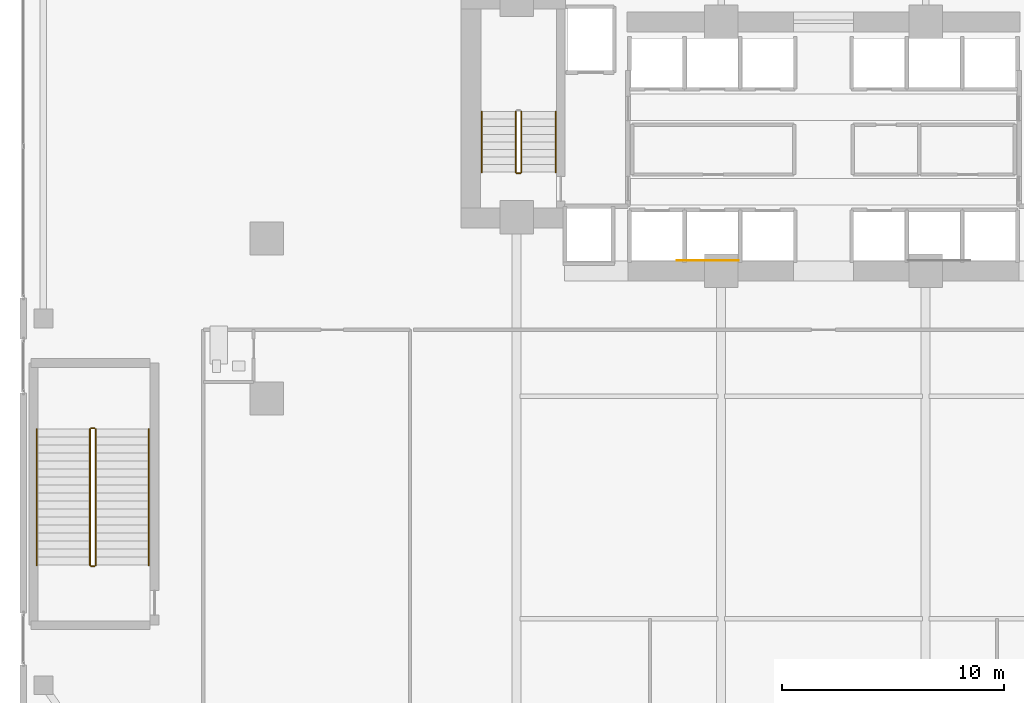
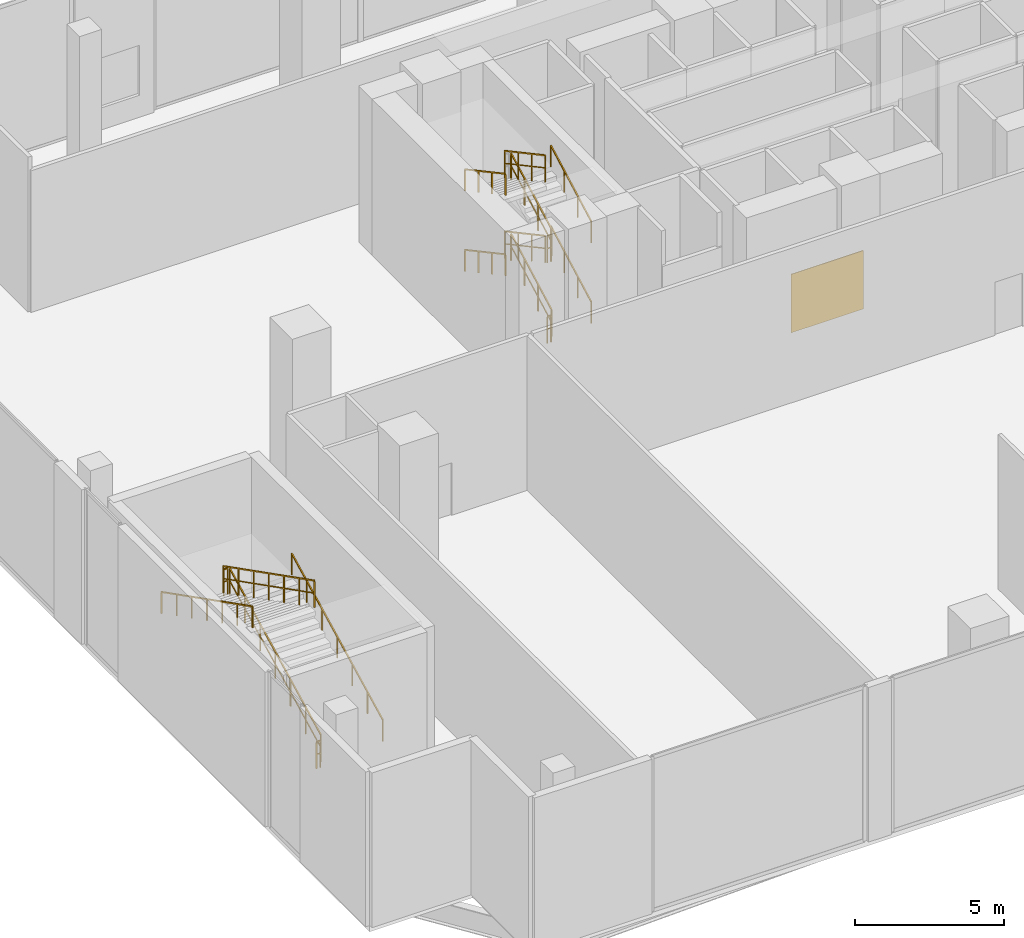
# One storey, part 27 of 30: 16 railings, 1 covering.
"""IFC4 building model written with IfcOpenShell, lengths in metres."""

from ifc_helpers import new_model, si_unit, direction, frame, origin, origin_2d, place, context, subcontext, project, spatial, rectangle, extrude, material, layer, layer_set, type_object, element, save


model = new_model("IFC4")

# Units and contexts
model_context = context("Model", 3, precision=1e-05, world=origin(), true_north=direction((0.0, 1.0)))
body_context = subcontext(model_context, "Body", "Model", "MODEL_VIEW")
ifc_project = project(units=[si_unit("LENGTHUNIT", "METRE"), si_unit("AREAUNIT", "SQUARE_METRE"), si_unit("VOLUMEUNIT", "CUBIC_METRE"), si_unit("PLANEANGLEUNIT", "RADIAN"), si_unit("MASSUNIT", "GRAM", prefix="KILO")], contexts=[model_context])

# Site, building, storey
site_placement = place(None, origin())
site = spatial("IfcSite", under=ifc_project, at=site_placement, CompositionType="ELEMENT")
building_placement = place(site_placement, origin())
building = spatial("IfcBuilding", under=site, at=building_placement, Name="Zuhayl Quay Hotel", CompositionType="ELEMENT")
storey_placement = place(building_placement, frame((0.0, 0.0, 11.39990234375)))
storey = spatial("IfcBuildingStorey", under=building, at=storey_placement, Name="L02", CompositionType="ELEMENT", Elevation=11.39990234375)

# Covering
ifc_material_1 = material(Name="Acoustic Walnut Feature Timber", Category="wood")
ifc_layer = layer(ifc_material_1, 0.02197265625, Name="Acoustic Walnut Feature Timber", Category="wood")
ifc_layer_set = layer_set([ifc_layer], Name="Acoustic Walnut Feature Timber")
covering_type = type_object("IfcCoveringType", Name="CV_WALL_CLAD", PredefinedType="CLADDING", material=ifc_layer_set)
covering_placement = place(storey_placement, frame((-5.199951171875, 2.611083984375, 0.300048828125), z_axis=(0.0, 0.0, 1.0), x_axis=(1.0, 0.0, 0.0)))
element("IfcCovering", 1, at=covering_placement, inside=storey, type_object=covering_type, Name="L02 Feature Lobby Walnut Wall Cladding W", PredefinedType="CLADDING", context=body_context, shape_type="SweptSolid", body=[
    extrude(rectangle(XDim=2.800048828125, YDim=0.02197265625, at=origin_2d()), origin(), (0.0, 0.0, 1.0), 2.39990234375),
])

# Railings
ifc_material_2 = material(Name="Steel ASTM A992 Grade 50", Category="steel")
railing_type_1 = type_object("IfcRailingType", Name="RL_GUARD_1100", PredefinedType="GUARDRAIL", material=ifc_material_2)
railing_1_placement = place(storey_placement, frame((-13.590087890625, 6.590087890625, 0.183349609375)))
element("IfcRailing", 2, at=railing_1_placement, inside=storey, type_object=railing_type_1, Name="L02 ST1 stair guard 1", PredefinedType="GUARDRAIL", context=body_context, shape_type="SweptSolid", body=[
    extrude(rectangle(XDim=0.048095703125, YDim=0.048095703125, at=origin_2d()), frame((0.0, 0.0, 1.09619140625), z_axis=(0.0, 0.880174121961, 0.474650940198), x_axis=(-1.0, 0.0, 0.0)), (0.0, 0.0, 1.0), 3.09033203125),
    extrude(rectangle(XDim=0.0361328125, YDim=0.0361328125, at=origin_2d()), frame((0.0, 0.0, 0.58251953125), z_axis=(0.0, 0.880174121961, 0.474650940198), x_axis=(-1.0, 0.0, 0.0)), (0.0, 0.0, 1.0), 3.09033203125),
    extrude(rectangle(XDim=0.0419921875, YDim=0.0419921875, at=origin_2d()), origin(), (0.0, 0.0, 1.0), 1.072021484375),
    extrude(rectangle(XDim=0.0419921875, YDim=0.0419921875, at=origin_2d()), frame((0.0, 0.90673828125, 0.489013671875)), (0.0, 0.0, 1.0), 1.072021484375),
    extrude(rectangle(XDim=0.0419921875, YDim=0.0419921875, at=origin_2d()), frame((0.0, 1.813232421875, 0.977783203125)), (0.0, 0.0, 1.0), 1.072021484375),
    extrude(rectangle(XDim=0.0419921875, YDim=0.0419921875, at=origin_2d()), frame((0.0, 2.719970703125, 1.466796875)), (0.0, 0.0, 1.0), 1.072021484375),
])
railing_2_placement = place(storey_placement, frame((-13.840087890625, 9.31005859375, 1.83349609375)))
element("IfcRailing", 3, at=railing_2_placement, inside=storey, type_object=railing_type_1, Name="L02 ST1 stair guard 3", PredefinedType="GUARDRAIL", context=body_context, shape_type="SweptSolid", body=[
    extrude(rectangle(XDim=0.048095703125, YDim=0.048095703125, at=origin_2d()), frame((0.0, 0.0, 1.09619140625), z_axis=(0.0, -0.88020712665, 0.4745897325), x_axis=(1.0, 0.0, 0.0)), (0.0, 0.0, 1.0), 3.090087890625),
    extrude(rectangle(XDim=0.0361328125, YDim=0.0361328125, at=origin_2d()), frame((0.0, 0.0, 0.58251953125), z_axis=(0.0, -0.88020712665, 0.4745897325), x_axis=(1.0, 0.0, 0.0)), (0.0, 0.0, 1.0), 3.090087890625),
    extrude(rectangle(XDim=0.0419921875, YDim=0.0419921875, at=origin_2d()), origin(), (0.0, 0.0, 1.0), 1.072021484375),
    extrude(rectangle(XDim=0.0419921875, YDim=0.0419921875, at=origin_2d()), frame((0.0, -0.90673828125, 0.48876953125)), (0.0, 0.0, 1.0), 1.072021484375),
    extrude(rectangle(XDim=0.0419921875, YDim=0.0419921875, at=origin_2d()), frame((0.0, -1.813232421875, 0.977783203125)), (0.0, 0.0, 1.0), 1.072021484375),
    extrude(rectangle(XDim=0.0419921875, YDim=0.0419921875, at=origin_2d()), frame((0.0, -2.719970703125, 1.466552734375)), (0.0, 0.0, 1.0), 1.072021484375),
])
railing_3_placement = place(storey_placement, frame((-13.639892578125, 6.5400390625, 3.300048828125)))
element("IfcRailing", 4, at=railing_3_placement, inside=storey, type_object=railing_type_1, Name="L02 ST1 stair guard 4", PredefinedType="GUARDRAIL", context=body_context, shape_type="SweptSolid", body=[
    extrude(rectangle(XDim=0.048095703125, YDim=0.048095703125, at=origin_2d()), frame((0.0, 0.0, 1.09619140625), z_axis=(-1.0, 0.0, 0.0), x_axis=(0.0, -1.0, 0.0)), (0.0, 0.0, 1.0), 0.150146484375),
    extrude(rectangle(XDim=0.0361328125, YDim=0.0361328125, at=origin_2d()), frame((0.0, 0.0, 0.58251953125), z_axis=(-1.0, 0.0, 0.0), x_axis=(0.0, -1.0, 0.0)), (0.0, 0.0, 1.0), 0.150146484375),
    extrude(rectangle(XDim=0.0419921875, YDim=0.0419921875, at=origin_2d()), origin(), (0.0, 0.0, 1.0), 1.072021484375),
    extrude(rectangle(XDim=0.0419921875, YDim=0.0419921875, at=origin_2d()), frame((-0.150146484375, 0.0, 0.0)), (0.0, 0.0, 1.0), 1.072021484375),
])
railing_4_placement = place(storey_placement, frame((-13.590087890625, 6.590087890625, 3.4833984375)))
element("IfcRailing", 5, at=railing_4_placement, inside=storey, type_object=railing_type_1, Name="L02 ST1 stair guard 5", PredefinedType="GUARDRAIL", context=body_context, shape_type="SweptSolid", body=[
    extrude(rectangle(XDim=0.048095703125, YDim=0.048095703125, at=origin_2d()), frame((0.0, 0.0, 1.09619140625), z_axis=(0.0, 0.880174121961, 0.474650940198), x_axis=(-1.0, 0.0, 0.0)), (0.0, 0.0, 1.0), 3.09033203125),
    extrude(rectangle(XDim=0.0361328125, YDim=0.0361328125, at=origin_2d()), frame((0.0, 0.0, 0.58251953125), z_axis=(0.0, 0.880174121961, 0.474650940198), x_axis=(-1.0, 0.0, 0.0)), (0.0, 0.0, 1.0), 3.09033203125),
    extrude(rectangle(XDim=0.0419921875, YDim=0.0419921875, at=origin_2d()), origin(), (0.0, 0.0, 1.0), 1.072021484375),
    extrude(rectangle(XDim=0.0419921875, YDim=0.0419921875, at=origin_2d()), frame((0.0, 0.90673828125, 0.489013671875)), (0.0, 0.0, 1.0), 1.072021484375),
    extrude(rectangle(XDim=0.0419921875, YDim=0.0419921875, at=origin_2d()), frame((0.0, 1.813232421875, 0.977783203125)), (0.0, 0.0, 1.0), 1.072021484375),
    extrude(rectangle(XDim=0.0419921875, YDim=0.0419921875, at=origin_2d()), frame((0.0, 2.719970703125, 1.466796875)), (0.0, 0.0, 1.0), 1.072021484375),
])
railing_5_placement = place(storey_placement, frame((-13.840087890625, 9.31005859375, 5.133544921875)))
element("IfcRailing", 6, at=railing_5_placement, inside=storey, type_object=railing_type_1, Name="L02 ST1 stair guard 7", PredefinedType="GUARDRAIL", context=body_context, shape_type="SweptSolid", body=[
    extrude(rectangle(XDim=0.048095703125, YDim=0.048095703125, at=origin_2d()), frame((0.0, 0.0, 1.09619140625), z_axis=(0.0, -0.88020712665, 0.4745897325), x_axis=(1.0, 0.0, 0.0)), (0.0, 0.0, 1.0), 3.090087890625),
    extrude(rectangle(XDim=0.0361328125, YDim=0.0361328125, at=origin_2d()), frame((0.0, 0.0, 0.58251953125), z_axis=(0.0, -0.88020712665, 0.4745897325), x_axis=(1.0, 0.0, 0.0)), (0.0, 0.0, 1.0), 3.090087890625),
    extrude(rectangle(XDim=0.0419921875, YDim=0.0419921875, at=origin_2d()), origin(), (0.0, 0.0, 1.0), 1.072021484375),
    extrude(rectangle(XDim=0.0419921875, YDim=0.0419921875, at=origin_2d()), frame((0.0, -0.90673828125, 0.48876953125)), (0.0, 0.0, 1.0), 1.072021484375),
    extrude(rectangle(XDim=0.0419921875, YDim=0.0419921875, at=origin_2d()), frame((0.0, -1.813232421875, 0.977783203125)), (0.0, 0.0, 1.0), 1.072021484375),
    extrude(rectangle(XDim=0.0419921875, YDim=0.0419921875, at=origin_2d()), frame((0.0, -2.719970703125, 1.466552734375)), (0.0, 0.0, 1.0), 1.072021484375),
])
railing_6_placement = place(storey_placement, frame((-13.639892578125, 6.5400390625, 0.0)))
element("IfcRailing", 7, at=railing_6_placement, inside=storey, type_object=railing_type_1, Name="L02 ST1 stair guard 8", PredefinedType="GUARDRAIL", context=body_context, shape_type="SweptSolid", body=[
    extrude(rectangle(XDim=0.048095703125, YDim=0.048095703125, at=origin_2d()), frame((0.0, 0.0, 1.09619140625), z_axis=(-1.0, 0.0, 0.0), x_axis=(0.0, -1.0, 0.0)), (0.0, 0.0, 1.0), 0.150146484375),
    extrude(rectangle(XDim=0.0361328125, YDim=0.0361328125, at=origin_2d()), frame((0.0, 0.0, 0.58251953125), z_axis=(-1.0, 0.0, 0.0), x_axis=(0.0, -1.0, 0.0)), (0.0, 0.0, 1.0), 0.150146484375),
    extrude(rectangle(XDim=0.0419921875, YDim=0.0419921875, at=origin_2d()), origin(), (0.0, 0.0, 1.0), 1.072021484375),
    extrude(rectangle(XDim=0.0419921875, YDim=0.0419921875, at=origin_2d()), frame((-0.150146484375, 0.0, 0.0)), (0.0, 0.0, 1.0), 1.072021484375),
])
railing_7_placement = place(storey_placement, frame((-32.75, -11.10009765625, 0.183349609375)))
element("IfcRailing", 8, at=railing_7_placement, inside=storey, type_object=railing_type_1, Name="L02 ST3 stair guard 1", PredefinedType="GUARDRAIL", context=body_context, shape_type="SweptSolid", body=[
    extrude(rectangle(XDim=0.048095703125, YDim=0.048095703125, at=origin_2d()), frame((0.0, 0.0, 1.09619140625), z_axis=(0.0, 0.891104052024, 0.453799039737), x_axis=(-1.0, 0.0, 0.0)), (0.0, 0.0, 1.0), 6.867919921875),
    extrude(rectangle(XDim=0.0361328125, YDim=0.0361328125, at=origin_2d()), frame((0.0, 0.0, 0.58251953125), z_axis=(0.0, 0.891104052024, 0.453799039737), x_axis=(-1.0, 0.0, 0.0)), (0.0, 0.0, 1.0), 6.867919921875),
    extrude(rectangle(XDim=0.0419921875, YDim=0.0419921875, at=origin_2d()), origin(), (0.0, 0.0, 1.0), 1.072021484375),
    extrude(rectangle(XDim=0.0419921875, YDim=0.0419921875, at=origin_2d()), frame((0.0, 1.02001953125, 0.51953125)), (0.0, 0.0, 1.0), 1.072021484375),
    extrude(rectangle(XDim=0.0419921875, YDim=0.0419921875, at=origin_2d()), frame((0.0, 2.0400390625, 1.038818359375)), (0.0, 0.0, 1.0), 1.072021484375),
    extrude(rectangle(XDim=0.0419921875, YDim=0.0419921875, at=origin_2d()), frame((0.0, 3.06005859375, 1.558349609375)), (0.0, 0.0, 1.0), 1.072021484375),
    extrude(rectangle(XDim=0.0419921875, YDim=0.0419921875, at=origin_2d()), frame((0.0, 4.080078125, 2.077880859375)), (0.0, 0.0, 1.0), 1.072021484375),
    extrude(rectangle(XDim=0.0419921875, YDim=0.0419921875, at=origin_2d()), frame((0.0, 5.10009765625, 2.59716796875)), (0.0, 0.0, 1.0), 1.072021484375),
    extrude(rectangle(XDim=0.0419921875, YDim=0.0419921875, at=origin_2d()), frame((0.0, 6.1201171875, 3.11669921875)), (0.0, 0.0, 1.0), 1.072021484375),
])
railing_8_placement = place(storey_placement, frame((-32.800048828125, -4.929931640625, 3.300048828125)))
element("IfcRailing", 9, at=railing_8_placement, inside=storey, type_object=railing_type_1, Name="L02 ST3 stair guard 2", PredefinedType="GUARDRAIL", context=body_context, shape_type="SweptSolid", body=[
    extrude(rectangle(XDim=0.048095703125, YDim=0.048095703125, at=origin_2d()), frame((0.0, 0.0, 1.09619140625), z_axis=(-1.0, 0.0, 0.0), x_axis=(0.0, -1.0, 0.0)), (0.0, 0.0, 1.0), 0.14990234375),
    extrude(rectangle(XDim=0.0361328125, YDim=0.0361328125, at=origin_2d()), frame((0.0, 0.0, 0.58251953125), z_axis=(-1.0, 0.0, 0.0), x_axis=(0.0, -1.0, 0.0)), (0.0, 0.0, 1.0), 0.14990234375),
    extrude(rectangle(XDim=0.0419921875, YDim=0.0419921875, at=origin_2d()), origin(), (0.0, 0.0, 1.0), 1.072021484375),
    extrude(rectangle(XDim=0.0419921875, YDim=0.0419921875, at=origin_2d()), frame((-0.14990234375, 0.0, 0.0)), (0.0, 0.0, 1.0), 1.072021484375),
])
railing_9_placement = place(storey_placement, frame((-33.0, -4.97998046875, 3.4833984375)))
element("IfcRailing", 10, at=railing_9_placement, inside=storey, type_object=railing_type_1, Name="L02 ST3 stair guard 3", PredefinedType="GUARDRAIL", context=body_context, shape_type="SweptSolid", body=[
    extrude(rectangle(XDim=0.048095703125, YDim=0.048095703125, at=origin_2d()), frame((0.0, 0.0, 1.09619140625), z_axis=(0.0, -0.891104052024, 0.453799039737), x_axis=(1.0, 0.0, 0.0)), (0.0, 0.0, 1.0), 6.867919921875),
    extrude(rectangle(XDim=0.0361328125, YDim=0.0361328125, at=origin_2d()), frame((0.0, 0.0, 0.58251953125), z_axis=(0.0, -0.891104052024, 0.453799039737), x_axis=(1.0, 0.0, 0.0)), (0.0, 0.0, 1.0), 6.867919921875),
    extrude(rectangle(XDim=0.0419921875, YDim=0.0419921875, at=origin_2d()), origin(), (0.0, 0.0, 1.0), 1.072021484375),
    extrude(rectangle(XDim=0.0419921875, YDim=0.0419921875, at=origin_2d()), frame((0.0, -1.02001953125, 0.51953125)), (0.0, 0.0, 1.0), 1.072021484375),
    extrude(rectangle(XDim=0.0419921875, YDim=0.0419921875, at=origin_2d()), frame((0.0, -2.0400390625, 1.038818359375)), (0.0, 0.0, 1.0), 1.072021484375),
    extrude(rectangle(XDim=0.0419921875, YDim=0.0419921875, at=origin_2d()), frame((0.0, -3.06005859375, 1.558349609375)), (0.0, 0.0, 1.0), 1.072021484375),
    extrude(rectangle(XDim=0.0419921875, YDim=0.0419921875, at=origin_2d()), frame((0.0, -4.080078125, 2.077880859375)), (0.0, 0.0, 1.0), 1.072021484375),
    extrude(rectangle(XDim=0.0419921875, YDim=0.0419921875, at=origin_2d()), frame((0.0, -5.10009765625, 2.59716796875)), (0.0, 0.0, 1.0), 1.072021484375),
    extrude(rectangle(XDim=0.0419921875, YDim=0.0419921875, at=origin_2d()), frame((0.0, -6.1201171875, 3.11669921875)), (0.0, 0.0, 1.0), 1.072021484375),
])
railing_10_placement = place(storey_placement, frame((-32.800048828125, -11.14990234375, 0.0)))
element("IfcRailing", 11, at=railing_10_placement, inside=storey, type_object=railing_type_1, Name="L02 ST3 stair guard 4", PredefinedType="GUARDRAIL", context=body_context, shape_type="SweptSolid", body=[
    extrude(rectangle(XDim=0.048095703125, YDim=0.048095703125, at=origin_2d()), frame((0.0, 0.0, 1.09619140625), z_axis=(-1.0, 0.0, 0.0), x_axis=(0.0, -1.0, 0.0)), (0.0, 0.0, 1.0), 0.14990234375),
    extrude(rectangle(XDim=0.0361328125, YDim=0.0361328125, at=origin_2d()), frame((0.0, 0.0, 0.58251953125), z_axis=(-1.0, 0.0, 0.0), x_axis=(0.0, -1.0, 0.0)), (0.0, 0.0, 1.0), 0.14990234375),
    extrude(rectangle(XDim=0.0419921875, YDim=0.0419921875, at=origin_2d()), origin(), (0.0, 0.0, 1.0), 1.072021484375),
    extrude(rectangle(XDim=0.0419921875, YDim=0.0419921875, at=origin_2d()), frame((-0.14990234375, 0.0, 0.0)), (0.0, 0.0, 1.0), 1.072021484375),
])
railing_type_2 = type_object("IfcRailingType", Name="RL_HANDRAIL_920", PredefinedType="HANDRAIL", material=ifc_material_2)
railing_11_placement = place(storey_placement, frame((-12.050048828125, 6.590087890625, 0.183349609375)))
element("IfcRailing", 12, at=railing_11_placement, inside=storey, type_object=railing_type_2, Name="L02 ST1 stair handrail 1", PredefinedType="HANDRAIL", context=body_context, shape_type="SweptSolid", body=[
    extrude(rectangle(XDim=0.048095703125, YDim=0.048095703125, at=origin_2d()), frame((0.0, 0.0, 0.8759765625), z_axis=(0.0, 0.880174121961, 0.474650940198), x_axis=(-1.0, 0.0, 0.0)), (0.0, 0.0, 1.0), 3.09033203125),
    extrude(rectangle(XDim=0.0419921875, YDim=0.0419921875, at=origin_2d()), origin(), (0.0, 0.0, 1.0), 0.851806640625),
    extrude(rectangle(XDim=0.0419921875, YDim=0.0419921875, at=origin_2d()), frame((0.0, 0.90673828125, 0.489013671875)), (0.0, 0.0, 1.0), 0.851806640625),
    extrude(rectangle(XDim=0.0419921875, YDim=0.0419921875, at=origin_2d()), frame((0.0, 1.813232421875, 0.977783203125)), (0.0, 0.0, 1.0), 0.851806640625),
    extrude(rectangle(XDim=0.0419921875, YDim=0.0419921875, at=origin_2d()), frame((0.0, 2.719970703125, 1.466796875)), (0.0, 0.0, 1.0), 0.851806640625),
])
railing_12_placement = place(storey_placement, frame((-15.3798828125, 9.31005859375, 1.83349609375)))
element("IfcRailing", 13, at=railing_12_placement, inside=storey, type_object=railing_type_2, Name="L02 ST1 stair handrail 2", PredefinedType="HANDRAIL", context=body_context, shape_type="SweptSolid", body=[
    extrude(rectangle(XDim=0.048095703125, YDim=0.048095703125, at=origin_2d()), frame((0.0, 0.0, 0.8759765625), z_axis=(0.0, -0.88020712665, 0.4745897325), x_axis=(1.0, 0.0, 0.0)), (0.0, 0.0, 1.0), 3.090087890625),
    extrude(rectangle(XDim=0.0419921875, YDim=0.0419921875, at=origin_2d()), origin(), (0.0, 0.0, 1.0), 0.851806640625),
    extrude(rectangle(XDim=0.0419921875, YDim=0.0419921875, at=origin_2d()), frame((0.0, -0.90673828125, 0.48876953125)), (0.0, 0.0, 1.0), 0.851806640625),
    extrude(rectangle(XDim=0.0419921875, YDim=0.0419921875, at=origin_2d()), frame((0.0, -1.813232421875, 0.977783203125)), (0.0, 0.0, 1.0), 0.851806640625),
    extrude(rectangle(XDim=0.0419921875, YDim=0.0419921875, at=origin_2d()), frame((0.0, -2.719970703125, 1.466552734375)), (0.0, 0.0, 1.0), 0.851806640625),
])
railing_13_placement = place(storey_placement, frame((-12.050048828125, 6.590087890625, 3.4833984375)))
element("IfcRailing", 14, at=railing_13_placement, inside=storey, type_object=railing_type_2, Name="L02 ST1 stair handrail 3", PredefinedType="HANDRAIL", context=body_context, shape_type="SweptSolid", body=[
    extrude(rectangle(XDim=0.048095703125, YDim=0.048095703125, at=origin_2d()), frame((0.0, 0.0, 0.8759765625), z_axis=(0.0, 0.880174121961, 0.474650940198), x_axis=(-1.0, 0.0, 0.0)), (0.0, 0.0, 1.0), 3.09033203125),
    extrude(rectangle(XDim=0.0419921875, YDim=0.0419921875, at=origin_2d()), origin(), (0.0, 0.0, 1.0), 0.851806640625),
    extrude(rectangle(XDim=0.0419921875, YDim=0.0419921875, at=origin_2d()), frame((0.0, 0.90673828125, 0.489013671875)), (0.0, 0.0, 1.0), 0.851806640625),
    extrude(rectangle(XDim=0.0419921875, YDim=0.0419921875, at=origin_2d()), frame((0.0, 1.813232421875, 0.977783203125)), (0.0, 0.0, 1.0), 0.851806640625),
    extrude(rectangle(XDim=0.0419921875, YDim=0.0419921875, at=origin_2d()), frame((0.0, 2.719970703125, 1.466796875)), (0.0, 0.0, 1.0), 0.851806640625),
])
railing_14_placement = place(storey_placement, frame((-15.3798828125, 9.31005859375, 5.133544921875)))
element("IfcRailing", 15, at=railing_14_placement, inside=storey, type_object=railing_type_2, Name="L02 ST1 stair handrail 4", PredefinedType="HANDRAIL", context=body_context, shape_type="SweptSolid", body=[
    extrude(rectangle(XDim=0.048095703125, YDim=0.048095703125, at=origin_2d()), frame((0.0, 0.0, 0.8759765625), z_axis=(0.0, -0.88020712665, 0.4745897325), x_axis=(1.0, 0.0, 0.0)), (0.0, 0.0, 1.0), 3.090087890625),
    extrude(rectangle(XDim=0.0419921875, YDim=0.0419921875, at=origin_2d()), origin(), (0.0, 0.0, 1.0), 0.851806640625),
    extrude(rectangle(XDim=0.0419921875, YDim=0.0419921875, at=origin_2d()), frame((0.0, -0.90673828125, 0.48876953125)), (0.0, 0.0, 1.0), 0.851806640625),
    extrude(rectangle(XDim=0.0419921875, YDim=0.0419921875, at=origin_2d()), frame((0.0, -1.813232421875, 0.977783203125)), (0.0, 0.0, 1.0), 0.851806640625),
    extrude(rectangle(XDim=0.0419921875, YDim=0.0419921875, at=origin_2d()), frame((0.0, -2.719970703125, 1.466552734375)), (0.0, 0.0, 1.0), 0.851806640625),
])
railing_15_placement = place(storey_placement, frame((-30.35009765625, -11.10009765625, 0.183349609375)))
element("IfcRailing", 16, at=railing_15_placement, inside=storey, type_object=railing_type_2, Name="L02 ST3 stair handrail 1", PredefinedType="HANDRAIL", context=body_context, shape_type="SweptSolid", body=[
    extrude(rectangle(XDim=0.048095703125, YDim=0.048095703125, at=origin_2d()), frame((0.0, 0.0, 0.8759765625), z_axis=(0.0, 0.891104052024, 0.453799039737), x_axis=(-1.0, 0.0, 0.0)), (0.0, 0.0, 1.0), 6.867919921875),
    extrude(rectangle(XDim=0.0419921875, YDim=0.0419921875, at=origin_2d()), origin(), (0.0, 0.0, 1.0), 0.851806640625),
    extrude(rectangle(XDim=0.0419921875, YDim=0.0419921875, at=origin_2d()), frame((0.0, 1.02001953125, 0.51953125)), (0.0, 0.0, 1.0), 0.851806640625),
    extrude(rectangle(XDim=0.0419921875, YDim=0.0419921875, at=origin_2d()), frame((0.0, 2.0400390625, 1.038818359375)), (0.0, 0.0, 1.0), 0.851806640625),
    extrude(rectangle(XDim=0.0419921875, YDim=0.0419921875, at=origin_2d()), frame((0.0, 3.06005859375, 1.558349609375)), (0.0, 0.0, 1.0), 0.851806640625),
    extrude(rectangle(XDim=0.0419921875, YDim=0.0419921875, at=origin_2d()), frame((0.0, 4.080078125, 2.077880859375)), (0.0, 0.0, 1.0), 0.851806640625),
    extrude(rectangle(XDim=0.0419921875, YDim=0.0419921875, at=origin_2d()), frame((0.0, 5.10009765625, 2.59716796875)), (0.0, 0.0, 1.0), 0.851806640625),
    extrude(rectangle(XDim=0.0419921875, YDim=0.0419921875, at=origin_2d()), frame((0.0, 6.1201171875, 3.11669921875)), (0.0, 0.0, 1.0), 0.851806640625),
])
railing_16_placement = place(storey_placement, frame((-35.39990234375, -4.97998046875, 3.4833984375)))
element("IfcRailing", 17, at=railing_16_placement, inside=storey, type_object=railing_type_2, Name="L02 ST3 stair handrail 2", PredefinedType="HANDRAIL", context=body_context, shape_type="SweptSolid", body=[
    extrude(rectangle(XDim=0.048095703125, YDim=0.048095703125, at=origin_2d()), frame((0.0, 0.0, 0.8759765625), z_axis=(0.0, -0.891104052024, 0.453799039737), x_axis=(1.0, 0.0, 0.0)), (0.0, 0.0, 1.0), 6.867919921875),
    extrude(rectangle(XDim=0.0419921875, YDim=0.0419921875, at=origin_2d()), origin(), (0.0, 0.0, 1.0), 0.851806640625),
    extrude(rectangle(XDim=0.0419921875, YDim=0.0419921875, at=origin_2d()), frame((0.0, -1.02001953125, 0.51953125)), (0.0, 0.0, 1.0), 0.851806640625),
    extrude(rectangle(XDim=0.0419921875, YDim=0.0419921875, at=origin_2d()), frame((0.0, -2.0400390625, 1.038818359375)), (0.0, 0.0, 1.0), 0.851806640625),
    extrude(rectangle(XDim=0.0419921875, YDim=0.0419921875, at=origin_2d()), frame((0.0, -3.06005859375, 1.558349609375)), (0.0, 0.0, 1.0), 0.851806640625),
    extrude(rectangle(XDim=0.0419921875, YDim=0.0419921875, at=origin_2d()), frame((0.0, -4.080078125, 2.077880859375)), (0.0, 0.0, 1.0), 0.851806640625),
    extrude(rectangle(XDim=0.0419921875, YDim=0.0419921875, at=origin_2d()), frame((0.0, -5.10009765625, 2.59716796875)), (0.0, 0.0, 1.0), 0.851806640625),
    extrude(rectangle(XDim=0.0419921875, YDim=0.0419921875, at=origin_2d()), frame((0.0, -6.1201171875, 3.11669921875)), (0.0, 0.0, 1.0), 0.851806640625),
])

save(model, "model.ifc")
